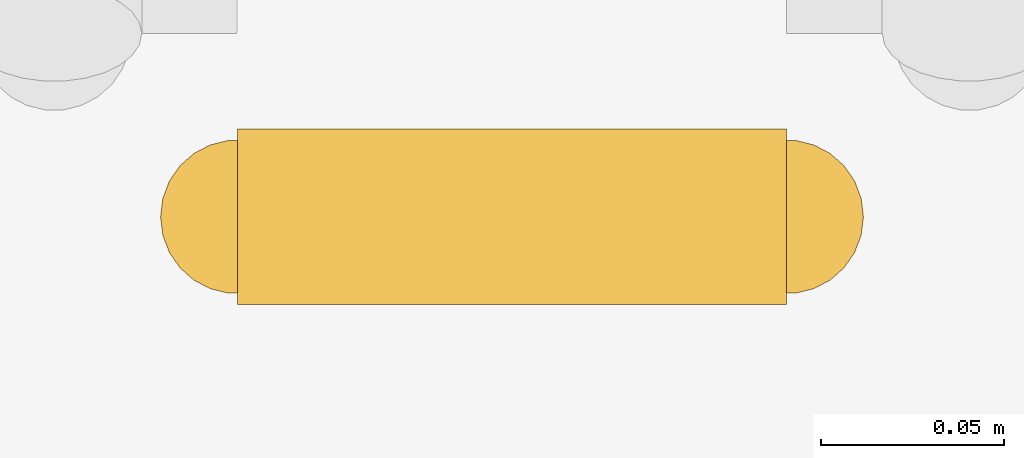
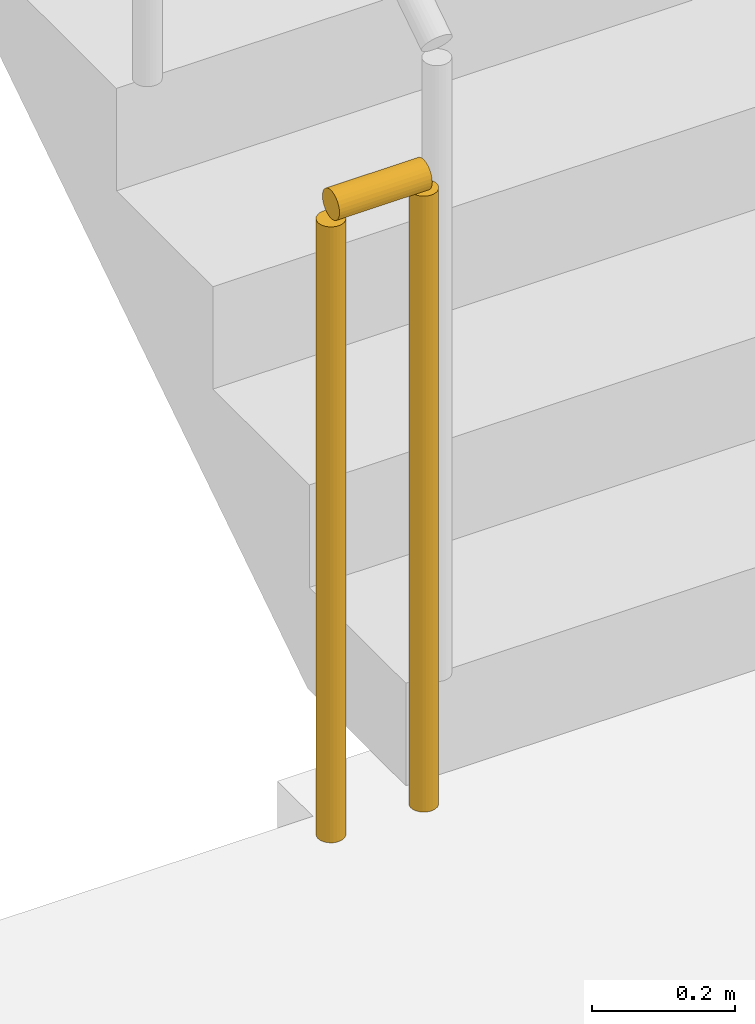
# One storey, part 14 of 19: 1 railing.
"""IFC4 building model written with IfcOpenShell, lengths in metres."""

import ifcopenshell
import ifcopenshell.guid

model = None  # the IFC model being written
_history = None  # IfcOwnerHistory: only IFC2X3 demands one
_inside = {}  # id of a spatial element -> (the spatial element, [elements in it])
_under = {}  # id of a project, library or spatial element -> (it, [spatial elements below it])
_declared = {}  # id of a project -> (the project, [libraries it declares])
_typed = {}  # id of a type object -> (the type object, [elements of that type])
_made_of = {}  # id of a material, layer set ... -> (it, [elements and type objects made of it])


def new_model(schema):
    """Start an empty IFC model of exactly this schema.

    Asked for "IFC4X3", IfcOpenShell would pick the latest addendum, in which some entities
    have other attributes; the version numbers below select the first issue.
    IFC2X3 requires an IfcOwnerHistory on every rooted entity: one is made here for all.
    """
    global model, _history
    if schema == "IFC4X3":
        model = ifcopenshell.file(schema_version=(4, 3, 0, 0))
    else:
        model = ifcopenshell.file(schema=schema)
    _inside.clear()
    _under.clear()
    _declared.clear()
    _typed.clear()
    _made_of.clear()
    _history = None
    if model.schema == "IFC2X3":
        org = make("IfcOrganization", Name="unknown")
        user = make(
            "IfcPersonAndOrganization",
            ThePerson=make("IfcPerson", FamilyName="unknown"),
            TheOrganization=org,
        )
        app = make(
            "IfcApplication",
            ApplicationDeveloper=org,
            Version="unknown",
            ApplicationFullName="unknown",
            ApplicationIdentifier="unknown",
        )
        _history = make(
            "IfcOwnerHistory",
            OwningUser=user,
            OwningApplication=app,
            ChangeAction="ADDED",
            CreationDate=0,
        )
    return model


def make(cls, **values):
    """One entity of the class cls with the attributes given. An attribute that is None is left unset."""
    return model.create_entity(
        cls, **{name: value for name, value in values.items() if value is not None}
    )


def rooted(cls, **values):
    """An entity with a GlobalId (a new one), such as an element, a storey or a relation."""
    return make(cls, GlobalId=ifcopenshell.guid.new(), OwnerHistory=_history, **values)


def si_unit(unit_type, name, prefix=None):
    """IfcSIUnit, for example si_unit("LENGTHUNIT", "METRE", prefix="MILLI")."""
    return make("IfcSIUnit", UnitType=unit_type, Prefix=prefix, Name=name)


def assignment(units):
    """IfcUnitAssignment: the units of a project."""
    return None if units is None else make("IfcUnitAssignment", Units=units)


def point(xyz):
    """IfcCartesianPoint."""
    return None if xyz is None else make("IfcCartesianPoint", Coordinates=xyz)


def direction(xyz):
    """IfcDirection."""
    return None if xyz is None else make("IfcDirection", DirectionRatios=xyz)


def frame(location, z_axis=None, x_axis=None):
    """IfcAxis2Placement3D, a coordinate frame: its origin and axes. An axis left out is left unset."""
    return make(
        "IfcAxis2Placement3D",
        Location=point(location),
        Axis=direction(z_axis),
        RefDirection=direction(x_axis),
    )


def frame_2d(location, x_axis=None):
    """IfcAxis2Placement2D, a coordinate frame in the plane: its origin and x axis."""
    return make(
        "IfcAxis2Placement2D", Location=point(location), RefDirection=direction(x_axis)
    )


def origin():
    """The frame at (0, 0, 0) with its axes left unset."""
    return frame((0.0, 0.0, 0.0))


def origin_2d():
    """The frame at (0, 0) in the plane with its x axis left unset."""
    return frame_2d((0.0, 0.0))


def place(relative_to, where):
    """IfcLocalPlacement: puts the frame where relative to a parent placement (None: the world)."""
    return make(
        "IfcLocalPlacement", PlacementRelTo=relative_to, RelativePlacement=where
    )


def context(
    kind, dimensions, precision=None, world=None, true_north=None, identifier=None
):
    """IfcGeometricRepresentationContext, for example the 3D "Model" context."""
    return make(
        "IfcGeometricRepresentationContext",
        ContextIdentifier=identifier,
        ContextType=kind,
        CoordinateSpaceDimension=dimensions,
        Precision=precision,
        WorldCoordinateSystem=world,
        TrueNorth=true_north,
    )


def subcontext(parent, identifier, kind, view, scale=None):
    """IfcGeometricRepresentationSubContext, for example "Body" below "Model"."""
    return make(
        "IfcGeometricRepresentationSubContext",
        ContextIdentifier=identifier,
        ContextType=kind,
        ParentContext=parent,
        TargetScale=scale,
        TargetView=view,
    )


def project(units=None, contexts=None):
    """IfcProject with its units and contexts."""
    return rooted(
        "IfcProject",
        Name="project",
        RepresentationContexts=contexts,
        UnitsInContext=assignment(units),
    )


def spatial(cls, under=None, at=None, **own):
    """A site, building, storey or space (cls), placed at a placement, below another one or the project."""
    s = rooted(cls, ObjectPlacement=at, **own)
    if under is not None:
        _under.setdefault(under.id(), (under, []))[1].append(s)
    return s


def profile(cls, at=None, kind="AREA", **sizes):
    """A parametric profile (cls). Its sizes go by their IFC names, for example OverallWidth=200.0."""
    return make(cls, ProfileType=kind, Position=at, **sizes)


def circle(**sizes):
    """IfcCircleProfileDef."""
    return profile("IfcCircleProfileDef", **sizes)


def extrude(swept, where, along, depth):
    """IfcExtrudedAreaSolid: the profile swept, set in the frame where, extruded along a direction by depth."""
    return make(
        "IfcExtrudedAreaSolid",
        SweptArea=swept,
        Position=where,
        ExtrudedDirection=direction(along),
        Depth=depth,
    )


def shape(context_of_items, identifier, shape_type, items):
    """IfcShapeRepresentation: the items that make up one representation, for example the "Body"."""
    return make(
        "IfcShapeRepresentation",
        ContextOfItems=context_of_items,
        RepresentationIdentifier=identifier,
        RepresentationType=shape_type,
        Items=items,
    )


def material(Name=None, Category=None):
    """IfcMaterial."""
    return make("IfcMaterial", Name=Name, Category=Category)


def made_of(thing, what):
    """Note that an element or type object is made of a material, layer set ...; save() writes the relation."""
    if what is not None:
        _made_of.setdefault(what.id(), (what, []))[1].append(thing)
    return thing


def type_object(cls, material=None, **own):
    """A type object (cls), such as IfcWallType, which elements share."""
    return made_of(rooted(cls, **own), material)


def element(
    cls,
    number,
    at=None,
    inside=None,
    cuts=None,
    type_object=None,
    material=None,
    context=None,
    identifier="Body",
    shape_type=None,
    held_by="IfcProductDefinitionShape",
    body=None,
    shapes=None,
    **own,
):
    """One element of the class cls, such as IfcWall. Its Tag is "e" and its number.

    at: its placement. inside: the storey or other place that contains it. cuts: it is an
    opening in that element (IfcRelVoidsElement). A single representation is given by context,
    identifier, shape_type and body (its items); several are given by shapes. held_by: the class
    of the entity that holds the representations. save() writes the other relations.
    """
    e = rooted(cls, Tag="e%d" % number, ObjectPlacement=at, **own)
    if body is not None:
        shapes = [shape(context, identifier, shape_type, body)]
    if shapes is not None:
        e.Representation = make(held_by, Representations=shapes)
    if inside is not None:
        _inside.setdefault(inside.id(), (inside, []))[1].append(e)
    if cuts is not None:
        rooted(
            "IfcRelVoidsElement", RelatingBuildingElement=cuts, RelatedOpeningElement=e
        )
    if type_object is not None:
        _typed.setdefault(type_object.id(), (type_object, []))[1].append(e)
    return made_of(e, material)


def aggregate(whole, parts):
    """IfcRelAggregates: a whole, such as a stair, and the parts it consists of."""
    return rooted("IfcRelAggregates", RelatingObject=whole, RelatedObjects=parts)


def save(model, path):
    """Write the relations noted so far, then the file.

    IfcRelAggregates (storeys below a building ...), IfcRelContainedInSpatialStructure (elements
    in a storey), IfcRelDefinesByType, IfcRelAssociatesMaterial and IfcRelDeclares: one each for
    every whole, place, type object, material and project.
    """
    for whole, parts in _under.values():
        aggregate(whole, parts)
    for where, things in _inside.values():
        rooted(
            "IfcRelContainedInSpatialStructure",
            RelatedElements=things,
            RelatingStructure=where,
        )
    for kind, things in _typed.values():
        rooted("IfcRelDefinesByType", RelatedObjects=things, RelatingType=kind)
    for what, things in _made_of.values():
        rooted("IfcRelAssociatesMaterial", RelatedObjects=things, RelatingMaterial=what)
    for by, libraries in _declared.values():
        rooted("IfcRelDeclares", RelatingContext=by, RelatedDefinitions=libraries)
    model.write(path)


model = new_model("IFC4")

# Units and contexts
model_context = context("Model", 3, precision=1e-05, world=origin(), true_north=direction((0.0, 1.0)))
body_context = subcontext(model_context, "Body", "Model", "MODEL_VIEW")
ifc_project = project(units=[si_unit("LENGTHUNIT", "METRE"), si_unit("AREAUNIT", "SQUARE_METRE"), si_unit("VOLUMEUNIT", "CUBIC_METRE"), si_unit("PLANEANGLEUNIT", "RADIAN"), si_unit("MASSUNIT", "GRAM", prefix="KILO")], contexts=[model_context])

# Site, building, storey
site_placement = place(None, origin())
site = spatial("IfcSite", under=ifc_project, at=site_placement, CompositionType="ELEMENT")
building_placement = place(site_placement, origin())
building = spatial("IfcBuilding", under=site, at=building_placement, Name="Saffron Iwan Residences", CompositionType="ELEMENT")
storey_placement = place(building_placement, frame((0.0, 0.0, 232.5)))
storey = spatial("IfcBuildingStorey", under=building, at=storey_placement, Name="L62", CompositionType="ELEMENT", Elevation=232.5)

# Railing
ifc_material = material(Name="Steel S355", Category="steel")
railing_type = type_object("IfcRailingType", Name="Stair guard 1100", PredefinedType="GUARDRAIL", material=ifc_material)
railing_placement = place(storey_placement, frame((31.25, 67.800048828125, 0.0)))
element("IfcRailing", 1, at=railing_placement, inside=storey, type_object=railing_type, Name="L62 ST-W stair guard 2", PredefinedType="GUARDRAIL", context=body_context, shape_type="SweptSolid", body=[
    extrude(circle(Radius=0.02392578125, at=origin_2d()), frame((0.0, 0.0, 1.076171875), z_axis=(-1.0, 0.0, 0.0), x_axis=(0.0, -1.0, 0.0)), (0.0, 0.0, 1.0), 0.14990234375),
    extrude(circle(Radius=0.02099609375, at=origin_2d()), origin(), (0.0, 0.0, 1.0), 1.052001953125),
    extrude(circle(Radius=0.02099609375, at=origin_2d()), frame((-0.14990234375, 0.0, 0.0)), (0.0, 0.0, 1.0), 1.052001953125),
])

save(model, "model.ifc")
